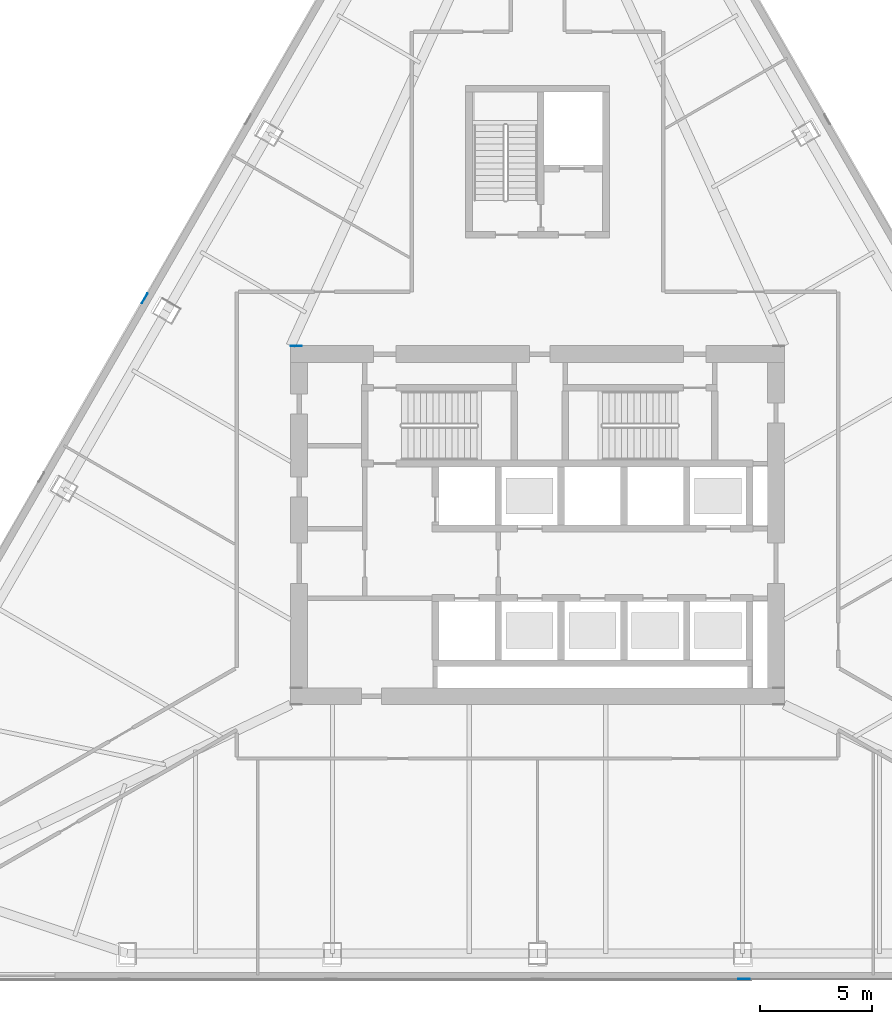
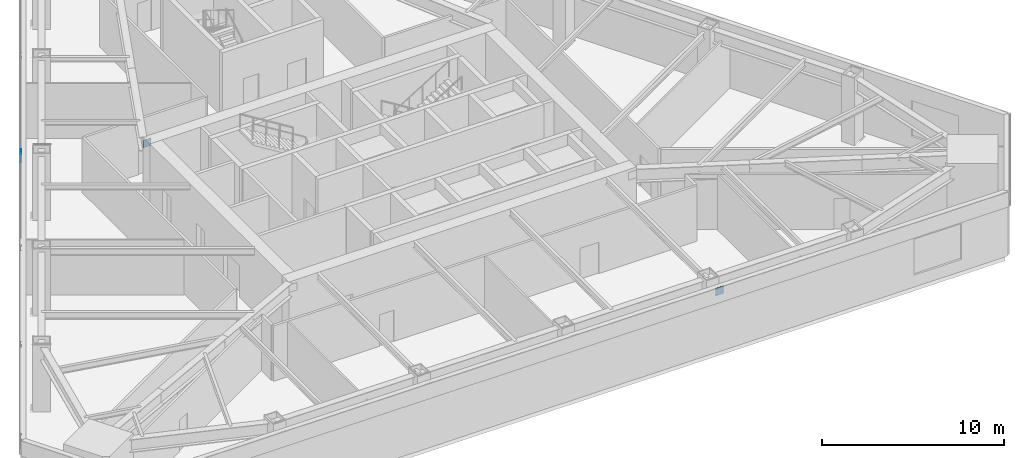
# One storey, part 10 of 14: 3 discrete accessories.
"""IFC4 building model written with IfcOpenShell, lengths in metres."""

from ifc_helpers import new_model, si_unit, direction, frame, origin, origin_2d, place, context, subcontext, project, spatial, rectangle, extrude, material, layer, layer_set, type_object, element, save


model = new_model("IFC4")

# Units and contexts
model_context = context("Model", 3, precision=1e-05, world=origin(), true_north=direction((0.0, 1.0)))
body_context = subcontext(model_context, "Body", "Model", "MODEL_VIEW")
ifc_project = project(units=[si_unit("LENGTHUNIT", "METRE"), si_unit("AREAUNIT", "SQUARE_METRE"), si_unit("VOLUMEUNIT", "CUBIC_METRE"), si_unit("PLANEANGLEUNIT", "RADIAN"), si_unit("MASSUNIT", "GRAM", prefix="KILO")], contexts=[model_context])

# Site, building, storey
site_placement = place(None, origin())
site = spatial("IfcSite", under=ifc_project, at=site_placement, CompositionType="ELEMENT")
building_placement = place(site_placement, origin())
building = spatial("IfcBuilding", under=site, at=building_placement, Name="Firuza Gate Tower and Library", CompositionType="ELEMENT")
storey_placement = place(building_placement, frame((0.0, 0.0, 151.300048828125)))
storey = spatial("IfcBuildingStorey", under=building, at=storey_placement, Name="L34", CompositionType="ELEMENT", Elevation=151.300048828125)

# Discrete accessories
ifc_material = material(Name="Steel S355", Category="steel")
ifc_layer = layer(ifc_material, 0.02490234375)
ifc_layer_set = layer_set([ifc_layer], Name="Cast-in anchor plate 500x500x25 Steel S355")
discrete_accessory_type = type_object("IfcDiscreteAccessoryType", Name="Cast-in anchor plate 500x500x25 Steel S355", PredefinedType="BRACKET", material=ifc_layer_set)
for number, where, z_axis, x_axis, name in (
    (1, (84.206787109375, 54.78173828125, 3.800048828125), (0.0, 0.0, 1.0), (1.0, 0.0, 0.0), "Cast-in anchor plate"),
    (2, (57.490478515625, 85.109130859375, 3.800048828125), (0.0, 0.0, 1.0), (-0.5, -0.866025403784, 0.0), "Cast-in anchor plate"),
    (3, (64.25, 82.987548828125, 3.593994140625), (0.0, 0.0, 1.0), (1.0, 0.0, 0.0), "Cast-in anchor plate"),
):
    element("IfcDiscreteAccessory", number, at=place(storey_placement, frame(where, z_axis=z_axis, x_axis=x_axis)), inside=storey, type_object=discrete_accessory_type, Name=name, PredefinedType="BRACKET", context=body_context, shape_type="SweptSolid", body=[
        extrude(rectangle(XDim=0.5, YDim=0.02490234375, at=origin_2d()), origin(), (0.0, 0.0, 1.0), 0.5),
    ])

save(model, "model.ifc")
